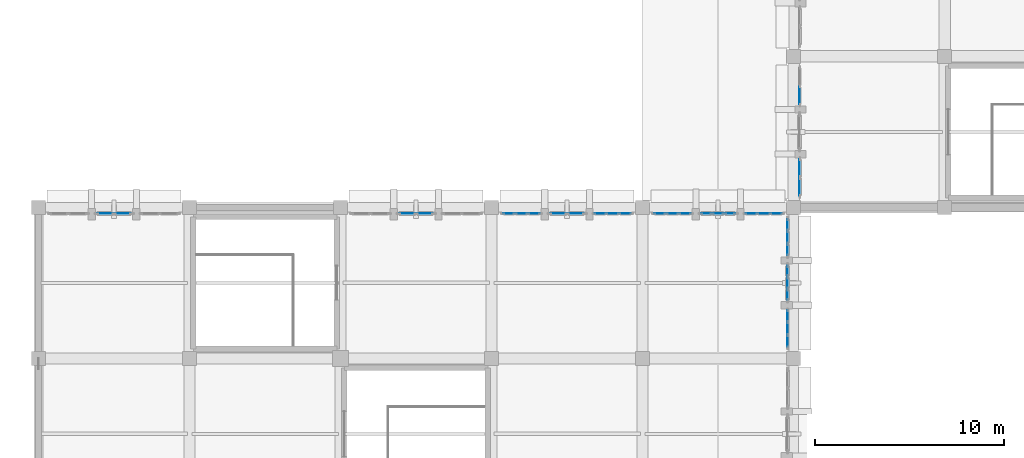
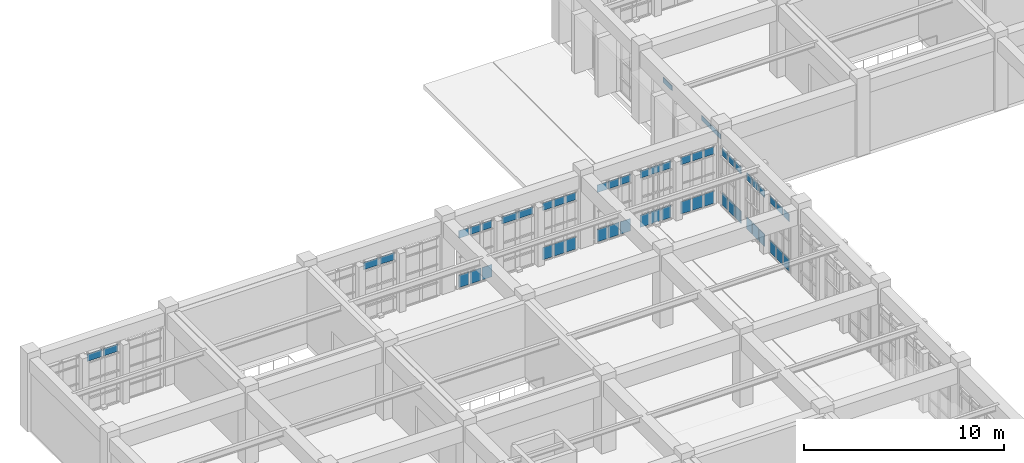
# One storey, part 125 of 155: 57 plates, 13 elements without a shape of their own.
"""IFC4 building model written with IfcOpenShell, lengths in metres."""

from ifc_helpers import new_model, si_unit, direction, frame, origin, origin_2d, place, context, subcontext, project, spatial, rectangle, extrude, material, layer, layer_set, type_object, element, aggregate, save


model = new_model("IFC4")

# Units and contexts
model_context = context("Model", 3, precision=1e-05, world=origin(), true_north=direction((0.0, 1.0)))
body_context = subcontext(model_context, "Body", "Model", "MODEL_VIEW")
ifc_project = project(units=[si_unit("LENGTHUNIT", "METRE"), si_unit("AREAUNIT", "SQUARE_METRE"), si_unit("VOLUMEUNIT", "CUBIC_METRE"), si_unit("PLANEANGLEUNIT", "RADIAN"), si_unit("MASSUNIT", "GRAM", prefix="KILO")], contexts=[model_context])

# Site, building, storey
site_placement = place(None, origin())
site = spatial("IfcSite", under=ifc_project, at=site_placement, CompositionType="ELEMENT")
building_placement = place(site_placement, origin())
building = spatial("IfcBuilding", under=site, at=building_placement, Name="Tazarka Park Arena", CompositionType="ELEMENT")
storey_placement = place(building_placement, frame((0.0, 0.0, 5.39990234375)))
storey = spatial("IfcBuildingStorey", under=building, at=storey_placement, Name="L01", CompositionType="ELEMENT", Elevation=5.39990234375)

# Curtain wall, plate
ifc_material_1 = material(Name="Aluminium and low-e glass", Category="aluminium")
ifc_layer_1 = layer(ifc_material_1, 0.179931640625, Name="Aluminium and low-e glass")
ifc_layer_set_1 = layer_set([ifc_layer_1], Name="Aluminium and low-e glass")
curtain_wall_type_1 = type_object("IfcCurtainWallType", Name="CW-30", PredefinedType="NOTDEFINED", material=ifc_layer_set_1)
curtain_wall_1_placement = place(storey_placement, origin())
curtain_wall_1 = element("IfcCurtainWall", 1, at=curtain_wall_1_placement, inside=storey, type_object=curtain_wall_type_1, Name="Curtain Wall CWA-L01-060", PredefinedType="NOTDEFINED")
ifc_material_2 = material(Name="Double low-e insulated glazing", Category="glass")
ifc_layer_2 = layer(ifc_material_2, 0.028076171875, Name="Double low-e insulated glazing")
ifc_layer_set_2 = layer_set([ifc_layer_2], Name="Double low-e insulated glazing")
plate_type_1 = type_object("IfcPlateType", Name="CWP-01", PredefinedType="CURTAIN_PANEL", material=ifc_layer_set_2)
plate_1_placement = place(storey_placement, frame((40.320068359375, 117.92138671875, 3.08251953125), z_axis=(0.0, 0.0, 1.0), x_axis=(0.0, 1.0, 0.0)))
plate_1 = element("IfcPlate", 2, at=plate_1_placement, type_object=plate_type_1, Name="CW-30 panel 1.4", PredefinedType="CURTAIN_PANEL", context=body_context, shape_type="SweptSolid", body=[
    extrude(rectangle(XDim=0.92919921875, YDim=0.028076171875, at=origin_2d()), origin(), (0.0, 0.0, 1.0), 0.302490234375),
])
aggregate(curtain_wall_1, [plate_1])

# Curtain wall, plates
ifc_material_3 = material(Name="Aluminium and low-e glass", Category="aluminium")
ifc_layer_3 = layer(ifc_material_3, 0.179931640625, Name="Aluminium and low-e glass")
ifc_layer_set_3 = layer_set([ifc_layer_3], Name="Aluminium and low-e glass")
curtain_wall_type_2 = type_object("IfcCurtainWallType", Name="CW-03", PredefinedType="NOTDEFINED", material=ifc_layer_set_3)
curtain_wall_2_placement = place(storey_placement, origin())
curtain_wall_2 = element("IfcCurtainWall", 3, at=curtain_wall_2_placement, inside=storey, type_object=curtain_wall_type_2, Name="Curtain Wall CWA-L01-123", PredefinedType="NOTDEFINED")
plate_2_placement = place(storey_placement, frame((39.679931640625, 106.249755859375, 0.065185546875), z_axis=(0.0, 0.0, 1.0), x_axis=(0.0, -1.0, 0.0)))
plate_2 = element("IfcPlate", 4, at=plate_2_placement, type_object=plate_type_1, Name="CW-03 panel 1.1", PredefinedType="CURTAIN_PANEL", context=body_context, shape_type="SweptSolid", body=[
    extrude(rectangle(XDim=0.5869140625, YDim=0.028076171875, at=origin_2d()), origin(), (0.0, 0.0, 1.0), 0.75244140625),
])
plate_3_placement = place(storey_placement, frame((39.679931640625, 106.249755859375, 3.08251953125), z_axis=(0.0, 0.0, 1.0), x_axis=(0.0, -1.0, 0.0)))
plate_3 = element("IfcPlate", 5, at=plate_3_placement, type_object=plate_type_1, Name="CW-03 panel 1.4", PredefinedType="CURTAIN_PANEL", context=body_context, shape_type="SweptSolid", body=[
    extrude(rectangle(XDim=0.5869140625, YDim=0.028076171875, at=origin_2d()), origin(), (0.0, 0.0, 1.0), 0.452392578125),
])
plate_4_placement = place(storey_placement, frame((39.679931640625, 105.58154296875, 0.065185546875), z_axis=(0.0, 0.0, 1.0), x_axis=(0.0, -1.0, 0.0)))
plate_4 = element("IfcPlate", 6, at=plate_4_placement, type_object=plate_type_1, Name="CW-03 panel 2.1", PredefinedType="CURTAIN_PANEL", context=body_context, shape_type="SweptSolid", body=[
    extrude(rectangle(XDim=0.619384765625, YDim=0.028076171875, at=origin_2d()), origin(), (0.0, 0.0, 1.0), 0.75244140625),
])
plate_5_placement = place(storey_placement, frame((39.679931640625, 105.58154296875, 3.08251953125), z_axis=(0.0, 0.0, 1.0), x_axis=(0.0, -1.0, 0.0)))
plate_5 = element("IfcPlate", 7, at=plate_5_placement, type_object=plate_type_1, Name="CW-03 panel 2.4", PredefinedType="CURTAIN_PANEL", context=body_context, shape_type="SweptSolid", body=[
    extrude(rectangle(XDim=0.619384765625, YDim=0.028076171875, at=origin_2d()), origin(), (0.0, 0.0, 1.0), 0.452392578125),
])
plate_6_placement = place(storey_placement, frame((39.679931640625, 104.91357421875, 0.065185546875), z_axis=(0.0, 0.0, 1.0), x_axis=(0.0, -1.0, 0.0)))
plate_6 = element("IfcPlate", 8, at=plate_6_placement, type_object=plate_type_1, Name="CW-03 panel 3.1", PredefinedType="CURTAIN_PANEL", context=body_context, shape_type="SweptSolid", body=[
    extrude(rectangle(XDim=0.5869140625, YDim=0.028076171875, at=origin_2d()), origin(), (0.0, 0.0, 1.0), 0.75244140625),
])
plate_7_placement = place(storey_placement, frame((39.679931640625, 104.91357421875, 3.08251953125), z_axis=(0.0, 0.0, 1.0), x_axis=(0.0, -1.0, 0.0)))
plate_7 = element("IfcPlate", 9, at=plate_7_placement, type_object=plate_type_1, Name="CW-03 panel 3.4", PredefinedType="CURTAIN_PANEL", context=body_context, shape_type="SweptSolid", body=[
    extrude(rectangle(XDim=0.5869140625, YDim=0.028076171875, at=origin_2d()), origin(), (0.0, 0.0, 1.0), 0.452392578125),
])
aggregate(curtain_wall_2, [plate_2, plate_3, plate_4, plate_5, plate_6, plate_7])

ifc_material_4 = material(Name="Aluminium and low-e glass", Category="aluminium")
ifc_layer_4 = layer(ifc_material_4, 0.179931640625, Name="Aluminium and low-e glass")
ifc_layer_set_4 = layer_set([ifc_layer_4], Name="Aluminium and low-e glass")
curtain_wall_type_3 = type_object("IfcCurtainWallType", Name="CW-06", PredefinedType="NOTDEFINED", material=ifc_layer_set_4)
curtain_wall_3_placement = place(storey_placement, origin())
curtain_wall_3 = element("IfcCurtainWall", 10, at=curtain_wall_3_placement, inside=storey, type_object=curtain_wall_type_3, Name="Curtain Wall CWA-L01-126", PredefinedType="NOTDEFINED")
plate_8_placement = place(storey_placement, frame((37.750244140625, 111.679931640625, 0.065185546875), z_axis=(0.0, 0.0, 1.0), x_axis=(1.0, 0.0, 0.0)))
plate_8 = element("IfcPlate", 11, at=plate_8_placement, type_object=plate_type_1, Name="CW-06 panel 1.1", PredefinedType="CURTAIN_PANEL", context=body_context, shape_type="SweptSolid", body=[
    extrude(rectangle(XDim=0.5869140625, YDim=0.028076171875, at=origin_2d()), origin(), (0.0, 0.0, 1.0), 0.75244140625),
])
plate_9_placement = place(storey_placement, frame((37.750244140625, 111.679931640625, 3.08251953125), z_axis=(0.0, 0.0, 1.0), x_axis=(1.0, 0.0, 0.0)))
plate_9 = element("IfcPlate", 12, at=plate_9_placement, type_object=plate_type_1, Name="CW-06 panel 1.4", PredefinedType="CURTAIN_PANEL", context=body_context, shape_type="SweptSolid", body=[
    extrude(rectangle(XDim=0.5869140625, YDim=0.028076171875, at=origin_2d()), origin(), (0.0, 0.0, 1.0), 0.452392578125),
])
plate_10_placement = place(storey_placement, frame((38.41845703125, 111.679931640625, 0.065185546875), z_axis=(0.0, 0.0, 1.0), x_axis=(1.0, 0.0, 0.0)))
plate_10 = element("IfcPlate", 13, at=plate_10_placement, type_object=plate_type_1, Name="CW-06 panel 2.1", PredefinedType="CURTAIN_PANEL", context=body_context, shape_type="SweptSolid", body=[
    extrude(rectangle(XDim=0.619384765625, YDim=0.028076171875, at=origin_2d()), origin(), (0.0, 0.0, 1.0), 0.75244140625),
])
plate_11_placement = place(storey_placement, frame((38.41845703125, 111.679931640625, 3.08251953125), z_axis=(0.0, 0.0, 1.0), x_axis=(1.0, 0.0, 0.0)))
plate_11 = element("IfcPlate", 14, at=plate_11_placement, type_object=plate_type_1, Name="CW-06 panel 2.4", PredefinedType="CURTAIN_PANEL", context=body_context, shape_type="SweptSolid", body=[
    extrude(rectangle(XDim=0.619384765625, YDim=0.028076171875, at=origin_2d()), origin(), (0.0, 0.0, 1.0), 0.452392578125),
])
plate_12_placement = place(storey_placement, frame((39.08642578125, 111.679931640625, 0.065185546875), z_axis=(0.0, 0.0, 1.0), x_axis=(1.0, 0.0, 0.0)))
plate_12 = element("IfcPlate", 15, at=plate_12_placement, type_object=plate_type_1, Name="CW-06 panel 3.1", PredefinedType="CURTAIN_PANEL", context=body_context, shape_type="SweptSolid", body=[
    extrude(rectangle(XDim=0.5869140625, YDim=0.028076171875, at=origin_2d()), origin(), (0.0, 0.0, 1.0), 0.75244140625),
])
plate_13_placement = place(storey_placement, frame((39.08642578125, 111.679931640625, 3.08251953125), z_axis=(0.0, 0.0, 1.0), x_axis=(1.0, 0.0, 0.0)))
plate_13 = element("IfcPlate", 16, at=plate_13_placement, type_object=plate_type_1, Name="CW-06 panel 3.4", PredefinedType="CURTAIN_PANEL", context=body_context, shape_type="SweptSolid", body=[
    extrude(rectangle(XDim=0.5869140625, YDim=0.028076171875, at=origin_2d()), origin(), (0.0, 0.0, 1.0), 0.452392578125),
])
aggregate(curtain_wall_3, [plate_8, plate_9, plate_10, plate_11, plate_12, plate_13])

ifc_material_5 = material(Name="Aluminium and low-e glass", Category="aluminium")
ifc_layer_5 = layer(ifc_material_5, 0.179931640625, Name="Aluminium and low-e glass")
ifc_layer_set_5 = layer_set([ifc_layer_5], Name="Aluminium and low-e glass")
curtain_wall_type_4 = type_object("IfcCurtainWallType", Name="CW-09", PredefinedType="NOTDEFINED", material=ifc_layer_set_5)
curtain_wall_4_placement = place(storey_placement, origin())
curtain_wall_4 = element("IfcCurtainWall", 17, at=curtain_wall_4_placement, inside=storey, type_object=curtain_wall_type_4, Name="Curtain Wall CWA-L01-129", PredefinedType="NOTDEFINED")
plate_14_placement = place(storey_placement, frame((29.750244140625, 111.679931640625, 0.065185546875), z_axis=(0.0, 0.0, 1.0), x_axis=(1.0, 0.0, 0.0)))
plate_14 = element("IfcPlate", 18, at=plate_14_placement, type_object=plate_type_1, Name="CW-09 panel 1.1", PredefinedType="CURTAIN_PANEL", context=body_context, shape_type="SweptSolid", body=[
    extrude(rectangle(XDim=0.5869140625, YDim=0.028076171875, at=origin_2d()), origin(), (0.0, 0.0, 1.0), 0.75244140625),
])
plate_15_placement = place(storey_placement, frame((29.750244140625, 111.679931640625, 3.08251953125), z_axis=(0.0, 0.0, 1.0), x_axis=(1.0, 0.0, 0.0)))
plate_15 = element("IfcPlate", 19, at=plate_15_placement, type_object=plate_type_1, Name="CW-09 panel 1.4", PredefinedType="CURTAIN_PANEL", context=body_context, shape_type="SweptSolid", body=[
    extrude(rectangle(XDim=0.5869140625, YDim=0.028076171875, at=origin_2d()), origin(), (0.0, 0.0, 1.0), 0.452392578125),
])
plate_16_placement = place(storey_placement, frame((30.41845703125, 111.679931640625, 0.065185546875), z_axis=(0.0, 0.0, 1.0), x_axis=(1.0, 0.0, 0.0)))
plate_16 = element("IfcPlate", 20, at=plate_16_placement, type_object=plate_type_1, Name="CW-09 panel 2.1", PredefinedType="CURTAIN_PANEL", context=body_context, shape_type="SweptSolid", body=[
    extrude(rectangle(XDim=0.619384765625, YDim=0.028076171875, at=origin_2d()), origin(), (0.0, 0.0, 1.0), 0.75244140625),
])
plate_17_placement = place(storey_placement, frame((30.41845703125, 111.679931640625, 3.08251953125), z_axis=(0.0, 0.0, 1.0), x_axis=(1.0, 0.0, 0.0)))
plate_17 = element("IfcPlate", 21, at=plate_17_placement, type_object=plate_type_1, Name="CW-09 panel 2.4", PredefinedType="CURTAIN_PANEL", context=body_context, shape_type="SweptSolid", body=[
    extrude(rectangle(XDim=0.619384765625, YDim=0.028076171875, at=origin_2d()), origin(), (0.0, 0.0, 1.0), 0.452392578125),
])
plate_18_placement = place(storey_placement, frame((31.08642578125, 111.679931640625, 0.065185546875), z_axis=(0.0, 0.0, 1.0), x_axis=(1.0, 0.0, 0.0)))
plate_18 = element("IfcPlate", 22, at=plate_18_placement, type_object=plate_type_1, Name="CW-09 panel 3.1", PredefinedType="CURTAIN_PANEL", context=body_context, shape_type="SweptSolid", body=[
    extrude(rectangle(XDim=0.5869140625, YDim=0.028076171875, at=origin_2d()), origin(), (0.0, 0.0, 1.0), 0.75244140625),
])
plate_19_placement = place(storey_placement, frame((31.08642578125, 111.679931640625, 3.08251953125), z_axis=(0.0, 0.0, 1.0), x_axis=(1.0, 0.0, 0.0)))
plate_19 = element("IfcPlate", 23, at=plate_19_placement, type_object=plate_type_1, Name="CW-09 panel 3.4", PredefinedType="CURTAIN_PANEL", context=body_context, shape_type="SweptSolid", body=[
    extrude(rectangle(XDim=0.5869140625, YDim=0.028076171875, at=origin_2d()), origin(), (0.0, 0.0, 1.0), 0.452392578125),
])
aggregate(curtain_wall_4, [plate_14, plate_15, plate_16, plate_17, plate_18, plate_19])

ifc_material_6 = material(Name="Aluminium and low-e glass", Category="aluminium")
ifc_layer_6 = layer(ifc_material_6, 0.179931640625, Name="Aluminium and low-e glass")
ifc_layer_set_6 = layer_set([ifc_layer_6], Name="Aluminium and low-e glass")
curtain_wall_type_5 = type_object("IfcCurtainWallType", Name="CW-28", PredefinedType="NOTDEFINED", material=ifc_layer_set_6)
curtain_wall_5_placement = place(storey_placement, origin())
curtain_wall_5 = element("IfcCurtainWall", 24, at=curtain_wall_5_placement, inside=storey, type_object=curtain_wall_type_5, Name="Curtain Wall CWA-L01-058", PredefinedType="NOTDEFINED")
ifc_material_7 = material(Name="Triple acoustic solar glazing", Category="glass")
ifc_layer_7 = layer(ifc_material_7, 0.031982421875, Name="Triple acoustic solar glazing")
ifc_layer_set_7 = layer_set([ifc_layer_7], Name="Triple acoustic solar glazing")
plate_type_2 = type_object("IfcPlateType", Name="CWP-02", PredefinedType="CURTAIN_PANEL", material=ifc_layer_set_7)
plate_20_placement = place(storey_placement, frame((40.320068359375, 113.08447265625, 3.08251953125), z_axis=(0.0, 0.0, 1.0), x_axis=(0.0, 1.0, 0.0)))
plate_20 = element("IfcPlate", 25, at=plate_20_placement, type_object=plate_type_2, Name="CW-28 panel 1.4", PredefinedType="CURTAIN_PANEL", context=body_context, shape_type="SweptSolid", body=[
    extrude(rectangle(XDim=0.92919921875, YDim=0.031982421875, at=origin_2d()), origin(), (0.0, 0.0, 1.0), 0.302490234375),
])
plate_21_placement = place(storey_placement, frame((40.320068359375, 114.07861328125, 3.08251953125), z_axis=(0.0, 0.0, 1.0), x_axis=(0.0, 1.0, 0.0)))
plate_21 = element("IfcPlate", 26, at=plate_21_placement, type_object=plate_type_2, Name="CW-28 panel 2.4", PredefinedType="CURTAIN_PANEL", context=body_context, shape_type="SweptSolid", body=[
    extrude(rectangle(XDim=0.92919921875, YDim=0.031982421875, at=origin_2d()), origin(), (0.0, 0.0, 1.0), 0.302490234375),
])
aggregate(curtain_wall_5, [plate_20, plate_21])

ifc_material_8 = material(Name="Aluminium and low-e glass", Category="aluminium")
ifc_layer_8 = layer(ifc_material_8, 0.179931640625, Name="Aluminium and low-e glass")
ifc_layer_set_8 = layer_set([ifc_layer_8], Name="Aluminium and low-e glass")
curtain_wall_type_6 = type_object("IfcCurtainWallType", Name="CW-01", PredefinedType="NOTDEFINED", material=ifc_layer_set_8)
curtain_wall_6_placement = place(storey_placement, origin())
curtain_wall_6 = element("IfcCurtainWall", 27, at=curtain_wall_6_placement, inside=storey, type_object=curtain_wall_type_6, Name="Curtain Wall CWA-L01-121", PredefinedType="NOTDEFINED")
plate_22_placement = place(storey_placement, frame((39.679931640625, 111.08642578125, 0.065185546875), z_axis=(0.0, 0.0, 1.0), x_axis=(0.0, -1.0, 0.0)))
plate_22 = element("IfcPlate", 28, at=plate_22_placement, type_object=plate_type_2, Name="CW-01 panel 1.1", PredefinedType="CURTAIN_PANEL", context=body_context, shape_type="SweptSolid", body=[
    extrude(rectangle(XDim=0.5869140625, YDim=0.031982421875, at=origin_2d()), origin(), (0.0, 0.0, 1.0), 0.75244140625),
])
plate_23_placement = place(storey_placement, frame((39.679931640625, 111.08642578125, 3.08251953125), z_axis=(0.0, 0.0, 1.0), x_axis=(0.0, -1.0, 0.0)))
plate_23 = element("IfcPlate", 29, at=plate_23_placement, type_object=plate_type_2, Name="CW-01 panel 1.4", PredefinedType="CURTAIN_PANEL", context=body_context, shape_type="SweptSolid", body=[
    extrude(rectangle(XDim=0.5869140625, YDim=0.031982421875, at=origin_2d()), origin(), (0.0, 0.0, 1.0), 0.452392578125),
])
plate_24_placement = place(storey_placement, frame((39.679931640625, 110.41845703125, 0.065185546875), z_axis=(0.0, 0.0, 1.0), x_axis=(0.0, -1.0, 0.0)))
plate_24 = element("IfcPlate", 30, at=plate_24_placement, type_object=plate_type_2, Name="CW-01 panel 2.1", PredefinedType="CURTAIN_PANEL", context=body_context, shape_type="SweptSolid", body=[
    extrude(rectangle(XDim=0.619384765625, YDim=0.031982421875, at=origin_2d()), origin(), (0.0, 0.0, 1.0), 0.75244140625),
])
plate_25_placement = place(storey_placement, frame((39.679931640625, 110.41845703125, 3.08251953125), z_axis=(0.0, 0.0, 1.0), x_axis=(0.0, -1.0, 0.0)))
plate_25 = element("IfcPlate", 31, at=plate_25_placement, type_object=plate_type_2, Name="CW-01 panel 2.4", PredefinedType="CURTAIN_PANEL", context=body_context, shape_type="SweptSolid", body=[
    extrude(rectangle(XDim=0.619384765625, YDim=0.031982421875, at=origin_2d()), origin(), (0.0, 0.0, 1.0), 0.452392578125),
])
plate_26_placement = place(storey_placement, frame((39.679931640625, 109.750244140625, 0.065185546875), z_axis=(0.0, 0.0, 1.0), x_axis=(0.0, -1.0, 0.0)))
plate_26 = element("IfcPlate", 32, at=plate_26_placement, type_object=plate_type_2, Name="CW-01 panel 3.1", PredefinedType="CURTAIN_PANEL", context=body_context, shape_type="SweptSolid", body=[
    extrude(rectangle(XDim=0.5869140625, YDim=0.031982421875, at=origin_2d()), origin(), (0.0, 0.0, 1.0), 0.75244140625),
])
plate_27_placement = place(storey_placement, frame((39.679931640625, 109.750244140625, 3.08251953125), z_axis=(0.0, 0.0, 1.0), x_axis=(0.0, -1.0, 0.0)))
plate_27 = element("IfcPlate", 33, at=plate_27_placement, type_object=plate_type_2, Name="CW-01 panel 3.4", PredefinedType="CURTAIN_PANEL", context=body_context, shape_type="SweptSolid", body=[
    extrude(rectangle(XDim=0.5869140625, YDim=0.031982421875, at=origin_2d()), origin(), (0.0, 0.0, 1.0), 0.452392578125),
])
aggregate(curtain_wall_6, [plate_22, plate_23, plate_24, plate_25, plate_26, plate_27])

ifc_material_9 = material(Name="Aluminium and low-e glass", Category="aluminium")
ifc_layer_9 = layer(ifc_material_9, 0.179931640625, Name="Aluminium and low-e glass")
ifc_layer_set_9 = layer_set([ifc_layer_9], Name="Aluminium and low-e glass")
curtain_wall_type_7 = type_object("IfcCurtainWallType", Name="CW-04", PredefinedType="NOTDEFINED", material=ifc_layer_set_9)
curtain_wall_7_placement = place(storey_placement, origin())
curtain_wall_7 = element("IfcCurtainWall", 34, at=curtain_wall_7_placement, inside=storey, type_object=curtain_wall_type_7, Name="Curtain Wall CWA-L01-124", PredefinedType="NOTDEFINED")
plate_28_placement = place(storey_placement, frame((32.91357421875, 111.679931640625, 0.065185546875), z_axis=(0.0, 0.0, 1.0), x_axis=(1.0, 0.0, 0.0)))
plate_28 = element("IfcPlate", 35, at=plate_28_placement, type_object=plate_type_2, Name="CW-04 panel 1.1", PredefinedType="CURTAIN_PANEL", context=body_context, shape_type="SweptSolid", body=[
    extrude(rectangle(XDim=0.5869140625, YDim=0.031982421875, at=origin_2d()), origin(), (0.0, 0.0, 1.0), 0.75244140625),
])
plate_29_placement = place(storey_placement, frame((32.91357421875, 111.679931640625, 3.08251953125), z_axis=(0.0, 0.0, 1.0), x_axis=(1.0, 0.0, 0.0)))
plate_29 = element("IfcPlate", 36, at=plate_29_placement, type_object=plate_type_2, Name="CW-04 panel 1.4", PredefinedType="CURTAIN_PANEL", context=body_context, shape_type="SweptSolid", body=[
    extrude(rectangle(XDim=0.5869140625, YDim=0.031982421875, at=origin_2d()), origin(), (0.0, 0.0, 1.0), 0.452392578125),
])
plate_30_placement = place(storey_placement, frame((33.58154296875, 111.679931640625, 0.065185546875), z_axis=(0.0, 0.0, 1.0), x_axis=(1.0, 0.0, 0.0)))
plate_30 = element("IfcPlate", 37, at=plate_30_placement, type_object=plate_type_2, Name="CW-04 panel 2.1", PredefinedType="CURTAIN_PANEL", context=body_context, shape_type="SweptSolid", body=[
    extrude(rectangle(XDim=0.619384765625, YDim=0.031982421875, at=origin_2d()), origin(), (0.0, 0.0, 1.0), 0.75244140625),
])
plate_31_placement = place(storey_placement, frame((33.58154296875, 111.679931640625, 3.08251953125), z_axis=(0.0, 0.0, 1.0), x_axis=(1.0, 0.0, 0.0)))
plate_31 = element("IfcPlate", 38, at=plate_31_placement, type_object=plate_type_2, Name="CW-04 panel 2.4", PredefinedType="CURTAIN_PANEL", context=body_context, shape_type="SweptSolid", body=[
    extrude(rectangle(XDim=0.619384765625, YDim=0.031982421875, at=origin_2d()), origin(), (0.0, 0.0, 1.0), 0.452392578125),
])
plate_32_placement = place(storey_placement, frame((34.249755859375, 111.679931640625, 0.065185546875), z_axis=(0.0, 0.0, 1.0), x_axis=(1.0, 0.0, 0.0)))
plate_32 = element("IfcPlate", 39, at=plate_32_placement, type_object=plate_type_2, Name="CW-04 panel 3.1", PredefinedType="CURTAIN_PANEL", context=body_context, shape_type="SweptSolid", body=[
    extrude(rectangle(XDim=0.5869140625, YDim=0.031982421875, at=origin_2d()), origin(), (0.0, 0.0, 1.0), 0.75244140625),
])
plate_33_placement = place(storey_placement, frame((34.249755859375, 111.679931640625, 3.08251953125), z_axis=(0.0, 0.0, 1.0), x_axis=(1.0, 0.0, 0.0)))
plate_33 = element("IfcPlate", 40, at=plate_33_placement, type_object=plate_type_2, Name="CW-04 panel 3.4", PredefinedType="CURTAIN_PANEL", context=body_context, shape_type="SweptSolid", body=[
    extrude(rectangle(XDim=0.5869140625, YDim=0.031982421875, at=origin_2d()), origin(), (0.0, 0.0, 1.0), 0.452392578125),
])
aggregate(curtain_wall_7, [plate_28, plate_29, plate_30, plate_31, plate_32, plate_33])

ifc_material_10 = material(Name="Aluminium and low-e glass", Category="aluminium")
ifc_layer_10 = layer(ifc_material_10, 0.179931640625, Name="Aluminium and low-e glass")
ifc_layer_set_10 = layer_set([ifc_layer_10], Name="Aluminium and low-e glass")
curtain_wall_type_8 = type_object("IfcCurtainWallType", Name="CW-07", PredefinedType="NOTDEFINED", material=ifc_layer_set_10)
curtain_wall_8_placement = place(storey_placement, origin())
curtain_wall_8 = element("IfcCurtainWall", 41, at=curtain_wall_8_placement, inside=storey, type_object=curtain_wall_type_8, Name="Curtain Wall CWA-L01-127", PredefinedType="NOTDEFINED")
plate_34_placement = place(storey_placement, frame((24.91357421875, 111.679931640625, 0.065185546875), z_axis=(0.0, 0.0, 1.0), x_axis=(1.0, 0.0, 0.0)))
plate_34 = element("IfcPlate", 42, at=plate_34_placement, type_object=plate_type_2, Name="CW-07 panel 1.1", PredefinedType="CURTAIN_PANEL", context=body_context, shape_type="SweptSolid", body=[
    extrude(rectangle(XDim=0.5869140625, YDim=0.031982421875, at=origin_2d()), origin(), (0.0, 0.0, 1.0), 0.75244140625),
])
plate_35_placement = place(storey_placement, frame((24.91357421875, 111.679931640625, 3.08251953125), z_axis=(0.0, 0.0, 1.0), x_axis=(1.0, 0.0, 0.0)))
plate_35 = element("IfcPlate", 43, at=plate_35_placement, type_object=plate_type_2, Name="CW-07 panel 1.4", PredefinedType="CURTAIN_PANEL", context=body_context, shape_type="SweptSolid", body=[
    extrude(rectangle(XDim=0.5869140625, YDim=0.031982421875, at=origin_2d()), origin(), (0.0, 0.0, 1.0), 0.452392578125),
])
plate_36_placement = place(storey_placement, frame((25.58154296875, 111.679931640625, 0.065185546875), z_axis=(0.0, 0.0, 1.0), x_axis=(1.0, 0.0, 0.0)))
plate_36 = element("IfcPlate", 44, at=plate_36_placement, type_object=plate_type_2, Name="CW-07 panel 2.1", PredefinedType="CURTAIN_PANEL", context=body_context, shape_type="SweptSolid", body=[
    extrude(rectangle(XDim=0.619384765625, YDim=0.031982421875, at=origin_2d()), origin(), (0.0, 0.0, 1.0), 0.75244140625),
])
plate_37_placement = place(storey_placement, frame((25.58154296875, 111.679931640625, 3.08251953125), z_axis=(0.0, 0.0, 1.0), x_axis=(1.0, 0.0, 0.0)))
plate_37 = element("IfcPlate", 45, at=plate_37_placement, type_object=plate_type_2, Name="CW-07 panel 2.4", PredefinedType="CURTAIN_PANEL", context=body_context, shape_type="SweptSolid", body=[
    extrude(rectangle(XDim=0.619384765625, YDim=0.031982421875, at=origin_2d()), origin(), (0.0, 0.0, 1.0), 0.452392578125),
])
plate_38_placement = place(storey_placement, frame((26.249755859375, 111.679931640625, 0.065185546875), z_axis=(0.0, 0.0, 1.0), x_axis=(1.0, 0.0, 0.0)))
plate_38 = element("IfcPlate", 46, at=plate_38_placement, type_object=plate_type_2, Name="CW-07 panel 3.1", PredefinedType="CURTAIN_PANEL", context=body_context, shape_type="SweptSolid", body=[
    extrude(rectangle(XDim=0.5869140625, YDim=0.031982421875, at=origin_2d()), origin(), (0.0, 0.0, 1.0), 0.75244140625),
])
plate_39_placement = place(storey_placement, frame((26.249755859375, 111.679931640625, 3.08251953125), z_axis=(0.0, 0.0, 1.0), x_axis=(1.0, 0.0, 0.0)))
plate_39 = element("IfcPlate", 47, at=plate_39_placement, type_object=plate_type_2, Name="CW-07 panel 3.4", PredefinedType="CURTAIN_PANEL", context=body_context, shape_type="SweptSolid", body=[
    extrude(rectangle(XDim=0.5869140625, YDim=0.031982421875, at=origin_2d()), origin(), (0.0, 0.0, 1.0), 0.452392578125),
])
aggregate(curtain_wall_8, [plate_34, plate_35, plate_36, plate_37, plate_38, plate_39])

ifc_material_11 = material(Name="Aluminium and low-e glass", Category="aluminium")
ifc_layer_11 = layer(ifc_material_11, 0.179931640625, Name="Aluminium and low-e glass")
ifc_layer_set_11 = layer_set([ifc_layer_11], Name="Aluminium and low-e glass")
curtain_wall_type_9 = type_object("IfcCurtainWallType", Name="CW-02", PredefinedType="NOTDEFINED", material=ifc_layer_set_11)
curtain_wall_9_placement = place(storey_placement, origin())
curtain_wall_9 = element("IfcCurtainWall", 48, at=curtain_wall_9_placement, inside=storey, type_object=curtain_wall_type_9, Name="Curtain Wall CWA-L01-122", PredefinedType="NOTDEFINED")
ifc_material_12 = material(Name="Insulated aluminium spandrel panel", Category="aluminium")
ifc_layer_12 = layer(ifc_material_12, 0.035888671875, Name="Insulated aluminium spandrel panel")
ifc_layer_set_12 = layer_set([ifc_layer_12], Name="Insulated aluminium spandrel panel")
plate_type_3 = type_object("IfcPlateType", Name="CWP-03", PredefinedType="CURTAIN_PANEL", material=ifc_layer_set_12)
plate_40_placement = place(storey_placement, frame((39.679931640625, 108.629150390625, 0.0751953125), z_axis=(0.0, 0.0, 1.0), x_axis=(0.0, -1.0, 0.0)))
plate_40 = element("IfcPlate", 49, at=plate_40_placement, type_object=plate_type_3, Name="CW-02 panel 1.1", PredefinedType="CURTAIN_PANEL", context=body_context, shape_type="SweptSolid", body=[
    extrude(rectangle(XDim=0.535400390625, YDim=0.035888671875, at=origin_2d()), origin(), (0.0, 0.0, 1.0), 0.737548828125),
])
plate_41_placement = place(storey_placement, frame((39.679931640625, 108.629150390625, 3.087646484375), z_axis=(0.0, 0.0, 1.0), x_axis=(0.0, -1.0, 0.0)))
plate_41 = element("IfcPlate", 50, at=plate_41_placement, type_object=plate_type_3, Name="CW-02 panel 1.4", PredefinedType="CURTAIN_PANEL", context=body_context, shape_type="SweptSolid", body=[
    extrude(rectangle(XDim=0.535400390625, YDim=0.035888671875, at=origin_2d()), origin(), (0.0, 0.0, 1.0), 0.4375),
])
plate_42_placement = place(storey_placement, frame((39.679931640625, 108.0, 0.0751953125), z_axis=(0.0, 0.0, 1.0), x_axis=(0.0, -1.0, 0.0)))
plate_42 = element("IfcPlate", 51, at=plate_42_placement, type_object=plate_type_3, Name="CW-02 panel 2.1", PredefinedType="CURTAIN_PANEL", context=body_context, shape_type="SweptSolid", body=[
    extrude(rectangle(XDim=0.57275390625, YDim=0.035888671875, at=origin_2d()), origin(), (0.0, 0.0, 1.0), 0.737548828125),
])
plate_43_placement = place(storey_placement, frame((39.679931640625, 108.0, 3.087646484375), z_axis=(0.0, 0.0, 1.0), x_axis=(0.0, -1.0, 0.0)))
plate_43 = element("IfcPlate", 52, at=plate_43_placement, type_object=plate_type_3, Name="CW-02 panel 2.4", PredefinedType="CURTAIN_PANEL", context=body_context, shape_type="SweptSolid", body=[
    extrude(rectangle(XDim=0.57275390625, YDim=0.035888671875, at=origin_2d()), origin(), (0.0, 0.0, 1.0), 0.4375),
])
plate_44_placement = place(storey_placement, frame((39.679931640625, 107.370849609375, 0.0751953125), z_axis=(0.0, 0.0, 1.0), x_axis=(0.0, -1.0, 0.0)))
plate_44 = element("IfcPlate", 53, at=plate_44_placement, type_object=plate_type_3, Name="CW-02 panel 3.1", PredefinedType="CURTAIN_PANEL", context=body_context, shape_type="SweptSolid", body=[
    extrude(rectangle(XDim=0.535400390625, YDim=0.035888671875, at=origin_2d()), origin(), (0.0, 0.0, 1.0), 0.737548828125),
])
plate_45_placement = place(storey_placement, frame((39.679931640625, 107.370849609375, 3.087646484375), z_axis=(0.0, 0.0, 1.0), x_axis=(0.0, -1.0, 0.0)))
plate_45 = element("IfcPlate", 54, at=plate_45_placement, type_object=plate_type_3, Name="CW-02 panel 3.4", PredefinedType="CURTAIN_PANEL", context=body_context, shape_type="SweptSolid", body=[
    extrude(rectangle(XDim=0.535400390625, YDim=0.035888671875, at=origin_2d()), origin(), (0.0, 0.0, 1.0), 0.4375),
])
aggregate(curtain_wall_9, [plate_40, plate_41, plate_42, plate_43, plate_44, plate_45])

ifc_material_13 = material(Name="Aluminium and low-e glass", Category="aluminium")
ifc_layer_13 = layer(ifc_material_13, 0.179931640625, Name="Aluminium and low-e glass")
ifc_layer_set_13 = layer_set([ifc_layer_13], Name="Aluminium and low-e glass")
curtain_wall_type_10 = type_object("IfcCurtainWallType", Name="CW-05", PredefinedType="NOTDEFINED", material=ifc_layer_set_13)
curtain_wall_10_placement = place(storey_placement, origin())
curtain_wall_10 = element("IfcCurtainWall", 55, at=curtain_wall_10_placement, inside=storey, type_object=curtain_wall_type_10, Name="Curtain Wall CWA-L01-125", PredefinedType="NOTDEFINED")
plate_46_placement = place(storey_placement, frame((35.370849609375, 111.679931640625, 0.0751953125), z_axis=(0.0, 0.0, 1.0), x_axis=(1.0, 0.0, 0.0)))
plate_46 = element("IfcPlate", 56, at=plate_46_placement, type_object=plate_type_3, Name="CW-05 panel 1.1", PredefinedType="CURTAIN_PANEL", context=body_context, shape_type="SweptSolid", body=[
    extrude(rectangle(XDim=0.535400390625, YDim=0.035888671875, at=origin_2d()), origin(), (0.0, 0.0, 1.0), 0.737548828125),
])
plate_47_placement = place(storey_placement, frame((35.370849609375, 111.679931640625, 3.087646484375), z_axis=(0.0, 0.0, 1.0), x_axis=(1.0, 0.0, 0.0)))
plate_47 = element("IfcPlate", 57, at=plate_47_placement, type_object=plate_type_3, Name="CW-05 panel 1.4", PredefinedType="CURTAIN_PANEL", context=body_context, shape_type="SweptSolid", body=[
    extrude(rectangle(XDim=0.535400390625, YDim=0.035888671875, at=origin_2d()), origin(), (0.0, 0.0, 1.0), 0.4375),
])
plate_48_placement = place(storey_placement, frame((36.0, 111.679931640625, 0.0751953125), z_axis=(0.0, 0.0, 1.0), x_axis=(1.0, 0.0, 0.0)))
plate_48 = element("IfcPlate", 58, at=plate_48_placement, type_object=plate_type_3, Name="CW-05 panel 2.1", PredefinedType="CURTAIN_PANEL", context=body_context, shape_type="SweptSolid", body=[
    extrude(rectangle(XDim=0.57275390625, YDim=0.035888671875, at=origin_2d()), origin(), (0.0, 0.0, 1.0), 0.737548828125),
])
plate_49_placement = place(storey_placement, frame((36.0, 111.679931640625, 3.087646484375), z_axis=(0.0, 0.0, 1.0), x_axis=(1.0, 0.0, 0.0)))
plate_49 = element("IfcPlate", 59, at=plate_49_placement, type_object=plate_type_3, Name="CW-05 panel 2.4", PredefinedType="CURTAIN_PANEL", context=body_context, shape_type="SweptSolid", body=[
    extrude(rectangle(XDim=0.57275390625, YDim=0.035888671875, at=origin_2d()), origin(), (0.0, 0.0, 1.0), 0.4375),
])
plate_50_placement = place(storey_placement, frame((36.629150390625, 111.679931640625, 0.0751953125), z_axis=(0.0, 0.0, 1.0), x_axis=(1.0, 0.0, 0.0)))
plate_50 = element("IfcPlate", 60, at=plate_50_placement, type_object=plate_type_3, Name="CW-05 panel 3.1", PredefinedType="CURTAIN_PANEL", context=body_context, shape_type="SweptSolid", body=[
    extrude(rectangle(XDim=0.535400390625, YDim=0.035888671875, at=origin_2d()), origin(), (0.0, 0.0, 1.0), 0.737548828125),
])
plate_51_placement = place(storey_placement, frame((36.629150390625, 111.679931640625, 3.087646484375), z_axis=(0.0, 0.0, 1.0), x_axis=(1.0, 0.0, 0.0)))
plate_51 = element("IfcPlate", 61, at=plate_51_placement, type_object=plate_type_3, Name="CW-05 panel 3.4", PredefinedType="CURTAIN_PANEL", context=body_context, shape_type="SweptSolid", body=[
    extrude(rectangle(XDim=0.535400390625, YDim=0.035888671875, at=origin_2d()), origin(), (0.0, 0.0, 1.0), 0.4375),
])
aggregate(curtain_wall_10, [plate_46, plate_47, plate_48, plate_49, plate_50, plate_51])

ifc_material_14 = material(Name="Aluminium and low-e glass", Category="aluminium")
ifc_layer_14 = layer(ifc_material_14, 0.179931640625, Name="Aluminium and low-e glass")
ifc_layer_set_14 = layer_set([ifc_layer_14], Name="Aluminium and low-e glass")
curtain_wall_type_11 = type_object("IfcCurtainWallType", Name="CW-08", PredefinedType="NOTDEFINED", material=ifc_layer_set_14)
curtain_wall_11_placement = place(storey_placement, origin())
curtain_wall_11 = element("IfcCurtainWall", 62, at=curtain_wall_11_placement, inside=storey, type_object=curtain_wall_type_11, Name="Curtain Wall CWA-L01-128", PredefinedType="NOTDEFINED")
plate_52_placement = place(storey_placement, frame((27.532958984375, 111.679931640625, 3.087646484375), z_axis=(0.0, 0.0, 1.0), x_axis=(1.0, 0.0, 0.0)))
plate_52 = element("IfcPlate", 63, at=plate_52_placement, type_object=plate_type_3, Name="CW-08 panel 1.4", PredefinedType="CURTAIN_PANEL", context=body_context, shape_type="SweptSolid", body=[
    extrude(rectangle(XDim=0.859130859375, YDim=0.035888671875, at=origin_2d()), origin(), (0.0, 0.0, 1.0), 0.4375),
])
plate_53_placement = place(storey_placement, frame((28.467041015625, 111.679931640625, 3.087646484375), z_axis=(0.0, 0.0, 1.0), x_axis=(1.0, 0.0, 0.0)))
plate_53 = element("IfcPlate", 64, at=plate_53_placement, type_object=plate_type_3, Name="CW-08 panel 2.4", PredefinedType="CURTAIN_PANEL", context=body_context, shape_type="SweptSolid", body=[
    extrude(rectangle(XDim=0.859130859375, YDim=0.035888671875, at=origin_2d()), origin(), (0.0, 0.0, 1.0), 0.4375),
])
aggregate(curtain_wall_11, [plate_52, plate_53])

ifc_material_15 = material(Name="Aluminium and low-e glass", Category="aluminium")
ifc_layer_15 = layer(ifc_material_15, 0.179931640625, Name="Aluminium and low-e glass")
ifc_layer_set_15 = layer_set([ifc_layer_15], Name="Aluminium and low-e glass")
curtain_wall_type_12 = type_object("IfcCurtainWallType", Name="CW-11", PredefinedType="NOTDEFINED", material=ifc_layer_set_15)
curtain_wall_12_placement = place(storey_placement, origin())
curtain_wall_12 = element("IfcCurtainWall", 65, at=curtain_wall_12_placement, inside=storey, type_object=curtain_wall_type_12, Name="Curtain Wall CWA-L01-131", PredefinedType="NOTDEFINED")
plate_54_placement = place(storey_placement, frame((19.532958984375, 111.679931640625, 3.087646484375), z_axis=(0.0, 0.0, 1.0), x_axis=(1.0, 0.0, 0.0)))
plate_54 = element("IfcPlate", 66, at=plate_54_placement, type_object=plate_type_3, Name="CW-11 panel 1.4", PredefinedType="CURTAIN_PANEL", context=body_context, shape_type="SweptSolid", body=[
    extrude(rectangle(XDim=0.859130859375, YDim=0.035888671875, at=origin_2d()), origin(), (0.0, 0.0, 1.0), 0.4375),
])
plate_55_placement = place(storey_placement, frame((20.467041015625, 111.679931640625, 3.087646484375), z_axis=(0.0, 0.0, 1.0), x_axis=(1.0, 0.0, 0.0)))
plate_55 = element("IfcPlate", 67, at=plate_55_placement, type_object=plate_type_3, Name="CW-11 panel 2.4", PredefinedType="CURTAIN_PANEL", context=body_context, shape_type="SweptSolid", body=[
    extrude(rectangle(XDim=0.859130859375, YDim=0.035888671875, at=origin_2d()), origin(), (0.0, 0.0, 1.0), 0.4375),
])
aggregate(curtain_wall_12, [plate_54, plate_55])

ifc_material_16 = material(Name="Aluminium and low-e glass", Category="aluminium")
ifc_layer_16 = layer(ifc_material_16, 0.179931640625, Name="Aluminium and low-e glass")
ifc_layer_set_16 = layer_set([ifc_layer_16], Name="Aluminium and low-e glass")
curtain_wall_type_13 = type_object("IfcCurtainWallType", Name="CW-14", PredefinedType="NOTDEFINED", material=ifc_layer_set_16)
curtain_wall_13_placement = place(storey_placement, origin())
curtain_wall_13 = element("IfcCurtainWall", 68, at=curtain_wall_13_placement, inside=storey, type_object=curtain_wall_type_13, Name="Curtain Wall CWA-L01-134", PredefinedType="NOTDEFINED")
plate_56_placement = place(storey_placement, frame((3.532958984375, 111.679931640625, 3.087646484375), z_axis=(0.0, 0.0, 1.0), x_axis=(1.0, 0.0, 0.0)))
plate_56 = element("IfcPlate", 69, at=plate_56_placement, type_object=plate_type_3, Name="CW-14 panel 1.4", PredefinedType="CURTAIN_PANEL", context=body_context, shape_type="SweptSolid", body=[
    extrude(rectangle(XDim=0.859130859375, YDim=0.035888671875, at=origin_2d()), origin(), (0.0, 0.0, 1.0), 0.4375),
])
plate_57_placement = place(storey_placement, frame((4.467041015625, 111.679931640625, 3.087646484375), z_axis=(0.0, 0.0, 1.0), x_axis=(1.0, 0.0, 0.0)))
plate_57 = element("IfcPlate", 70, at=plate_57_placement, type_object=plate_type_3, Name="CW-14 panel 2.4", PredefinedType="CURTAIN_PANEL", context=body_context, shape_type="SweptSolid", body=[
    extrude(rectangle(XDim=0.859130859375, YDim=0.035888671875, at=origin_2d()), origin(), (0.0, 0.0, 1.0), 0.4375),
])
aggregate(curtain_wall_13, [plate_56, plate_57])

save(model, "model.ifc")
